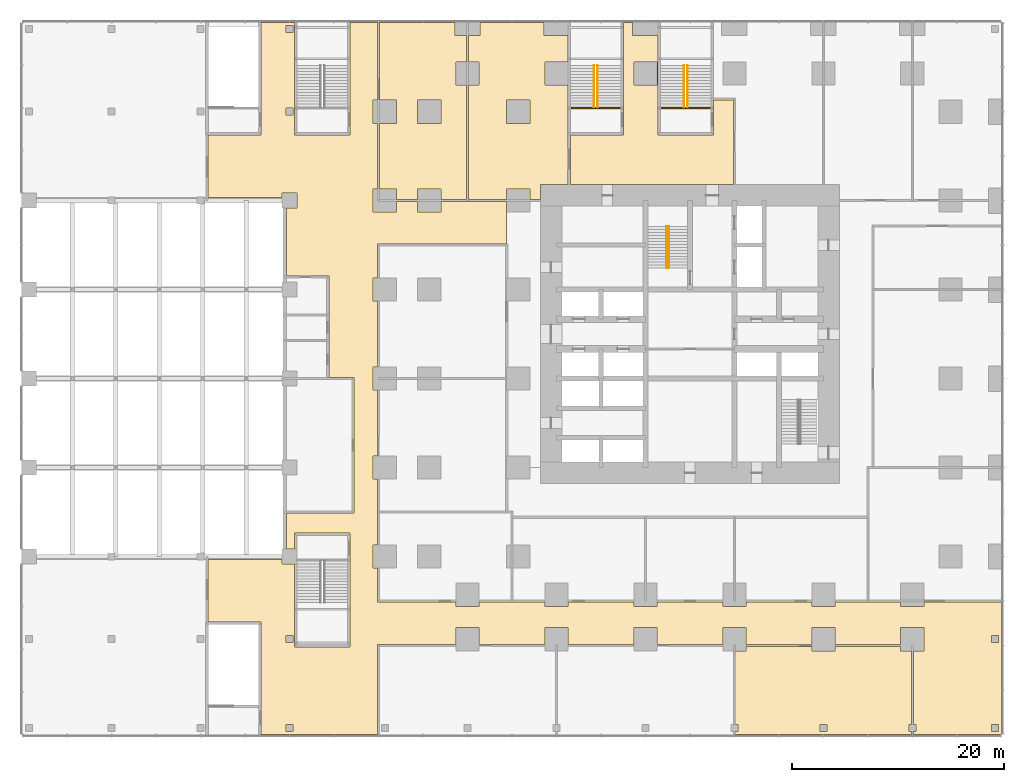
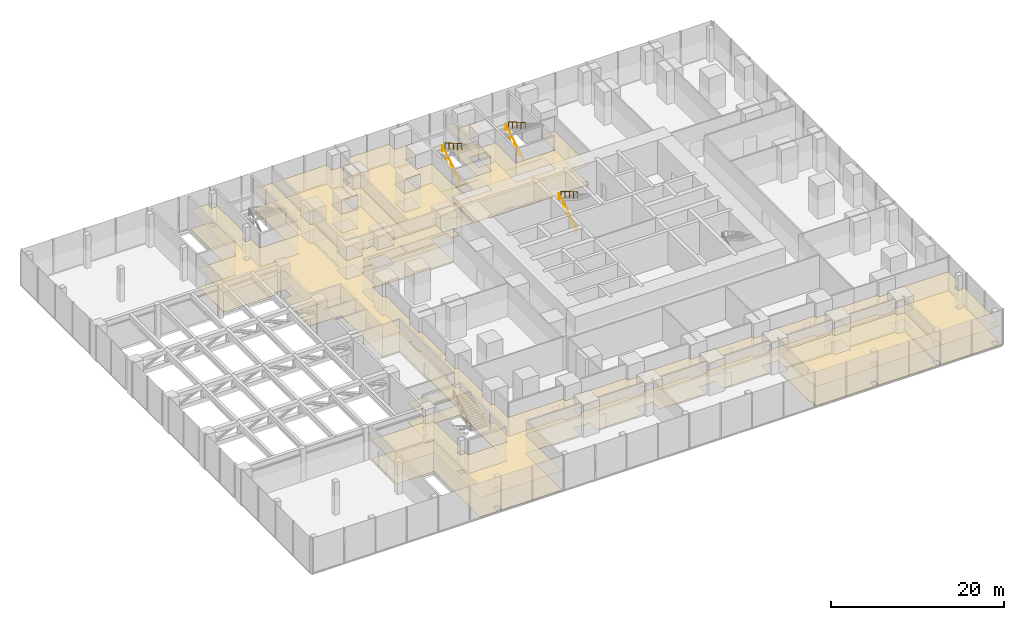
# One storey, part 32 of 33: 12 coverings, 6 railings.
"""IFC4 building model written with IfcOpenShell, lengths in metres."""

from ifc_helpers import new_model, si_unit, direction, frame, origin, origin_2d, place, context, subcontext, project, spatial, polyline, circle, outline, extrude, material, layer, layer_set, type_object, element, save


model = new_model("IFC4")

# Units and contexts
model_context = context("Model", 3, precision=1e-05, world=origin(), true_north=direction((0.0, 1.0)))
body_context = subcontext(model_context, "Body", "Model", "MODEL_VIEW")
ifc_project = project(units=[si_unit("LENGTHUNIT", "METRE"), si_unit("AREAUNIT", "SQUARE_METRE"), si_unit("VOLUMEUNIT", "CUBIC_METRE"), si_unit("PLANEANGLEUNIT", "RADIAN"), si_unit("MASSUNIT", "GRAM", prefix="KILO")], contexts=[model_context])

# Site, building, storey
site_placement = place(None, origin())
site = spatial("IfcSite", under=ifc_project, at=site_placement, CompositionType="ELEMENT")
building_placement = place(site_placement, origin())
building = spatial("IfcBuilding", under=site, at=building_placement, Name="Dunama Terrace Hotel", CompositionType="ELEMENT")
storey_placement = place(building_placement, frame((0.0, 0.0, 12.0)))
storey = spatial("IfcBuildingStorey", under=building, at=storey_placement, Name="L02", CompositionType="ELEMENT", Elevation=12.0)

# Railings
ifc_material_1 = material(Name="Stainless steel handrail", Category="steel")
railing_type = type_object("IfcRailingType", Name="Stair handrail 900", PredefinedType="HANDRAIL", material=ifc_material_1)
railing_1_placement = place(storey_placement, frame((27.175048828125, 35.625, 0.166748046875)))
element("IfcRailing", 1, at=railing_1_placement, inside=storey, type_object=railing_type, Name="Handrail ST1 L02", PredefinedType="HANDRAIL", context=body_context, shape_type="SweptSolid", body=[
    extrude(circle(Radius=0.02392578125, at=origin_2d()), frame((0.0, 0.0, 0.8759765625), z_axis=(0.0, 0.859296244711, 0.511478214419), x_axis=(-1.0, 0.0, 0.0)), (0.0, 0.0, 1.0), 4.561767578125),
    extrude(circle(Radius=0.02099609375, at=origin_2d()), origin(), (0.0, 0.0, 1.0), 0.851806640625),
    extrude(circle(Radius=0.02099609375, at=origin_2d()), frame((0.0, 0.97998046875, 0.583251953125)), (0.0, 0.0, 1.0), 0.851806640625),
    extrude(circle(Radius=0.02099609375, at=origin_2d()), frame((0.0, 1.9599609375, 1.16650390625)), (0.0, 0.0, 1.0), 0.851806640625),
    extrude(circle(Radius=0.02099609375, at=origin_2d()), frame((0.0, 2.93994140625, 1.75)), (0.0, 0.0, 1.0), 0.851806640625),
    extrude(circle(Radius=0.02099609375, at=origin_2d()), frame((0.0, 3.919921875, 2.333251953125)), (0.0, 0.0, 1.0), 0.851806640625),
])
railing_2_placement = place(storey_placement, frame((27.425048828125, 39.544921875, 2.666748046875)))
element("IfcRailing", 2, at=railing_2_placement, inside=storey, type_object=railing_type, Name="Handrail ST1 L02", PredefinedType="HANDRAIL", context=body_context, shape_type="SweptSolid", body=[
    extrude(circle(Radius=0.02392578125, at=origin_2d()), frame((0.0, 0.0, 0.8759765625), z_axis=(0.0, -0.859296244711, 0.511478214419), x_axis=(1.0, 0.0, 0.0)), (0.0, 0.0, 1.0), 4.561767578125),
    extrude(circle(Radius=0.02099609375, at=origin_2d()), origin(), (0.0, 0.0, 1.0), 0.851806640625),
    extrude(circle(Radius=0.02099609375, at=origin_2d()), frame((0.0, -0.97998046875, 0.583251953125)), (0.0, 0.0, 1.0), 0.851806640625),
    extrude(circle(Radius=0.02099609375, at=origin_2d()), frame((0.0, -1.9599609375, 1.16650390625)), (0.0, 0.0, 1.0), 0.851806640625),
    extrude(circle(Radius=0.02099609375, at=origin_2d()), frame((0.0, -2.93994140625, 1.75)), (0.0, 0.0, 1.0), 0.851806640625),
    extrude(circle(Radius=0.02099609375, at=origin_2d()), frame((0.0, -3.919921875, 2.333251953125)), (0.0, 0.0, 1.0), 0.851806640625),
])
railing_3_placement = place(storey_placement, frame((20.324951171875, 50.824951171875, 0.166748046875)))
element("IfcRailing", 3, at=railing_3_placement, inside=storey, type_object=railing_type, Name="Handrail P5 L02", PredefinedType="HANDRAIL", context=body_context, shape_type="SweptSolid", body=[
    extrude(circle(Radius=0.02392578125, at=origin_2d()), frame((0.0, 0.0, 0.8759765625), z_axis=(0.0, 0.859310244771, 0.511454693235), x_axis=(-1.0, 0.0, 0.0)), (0.0, 0.0, 1.0), 4.56201171875),
    extrude(circle(Radius=0.02099609375, at=origin_2d()), origin(), (0.0, 0.0, 1.0), 0.851806640625),
    extrude(circle(Radius=0.02099609375, at=origin_2d()), frame((0.0, 0.97998046875, 0.583251953125)), (0.0, 0.0, 1.0), 0.851806640625),
    extrude(circle(Radius=0.02099609375, at=origin_2d()), frame((0.0, 1.9599609375, 1.16650390625)), (0.0, 0.0, 1.0), 0.851806640625),
    extrude(circle(Radius=0.02099609375, at=origin_2d()), frame((0.0, 2.940185546875, 1.75)), (0.0, 0.0, 1.0), 0.851806640625),
    extrude(circle(Radius=0.02099609375, at=origin_2d()), frame((0.0, 3.920166015625, 2.333251953125)), (0.0, 0.0, 1.0), 0.851806640625),
])
railing_4_placement = place(storey_placement, frame((20.675048828125, 54.7451171875, 2.666748046875)))
element("IfcRailing", 4, at=railing_4_placement, inside=storey, type_object=railing_type, Name="Handrail P5 L02", PredefinedType="HANDRAIL", context=body_context, shape_type="SweptSolid", body=[
    extrude(circle(Radius=0.02392578125, at=origin_2d()), frame((0.0, 0.0, 0.8759765625), z_axis=(0.0, -0.859310244771, 0.511454693235), x_axis=(1.0, 0.0, 0.0)), (0.0, 0.0, 1.0), 4.56201171875),
    extrude(circle(Radius=0.02099609375, at=origin_2d()), origin(), (0.0, 0.0, 1.0), 0.851806640625),
    extrude(circle(Radius=0.02099609375, at=origin_2d()), frame((0.0, -0.97998046875, 0.583251953125)), (0.0, 0.0, 1.0), 0.851806640625),
    extrude(circle(Radius=0.02099609375, at=origin_2d()), frame((0.0, -1.9599609375, 1.16650390625)), (0.0, 0.0, 1.0), 0.851806640625),
    extrude(circle(Radius=0.02099609375, at=origin_2d()), frame((0.0, -2.940185546875, 1.75)), (0.0, 0.0, 1.0), 0.851806640625),
    extrude(circle(Radius=0.02099609375, at=origin_2d()), frame((0.0, -3.920166015625, 2.333251953125)), (0.0, 0.0, 1.0), 0.851806640625),
])
railing_5_placement = place(storey_placement, frame((28.824951171875, 50.824951171875, 0.166748046875)))
element("IfcRailing", 5, at=railing_5_placement, inside=storey, type_object=railing_type, Name="Handrail P6 L02", PredefinedType="HANDRAIL", context=body_context, shape_type="SweptSolid", body=[
    extrude(circle(Radius=0.02392578125, at=origin_2d()), frame((0.0, 0.0, 0.8759765625), z_axis=(0.0, 0.859310244771, 0.511454693235), x_axis=(-1.0, 0.0, 0.0)), (0.0, 0.0, 1.0), 4.56201171875),
    extrude(circle(Radius=0.02099609375, at=origin_2d()), origin(), (0.0, 0.0, 1.0), 0.851806640625),
    extrude(circle(Radius=0.02099609375, at=origin_2d()), frame((0.0, 0.97998046875, 0.583251953125)), (0.0, 0.0, 1.0), 0.851806640625),
    extrude(circle(Radius=0.02099609375, at=origin_2d()), frame((0.0, 1.9599609375, 1.16650390625)), (0.0, 0.0, 1.0), 0.851806640625),
    extrude(circle(Radius=0.02099609375, at=origin_2d()), frame((0.0, 2.940185546875, 1.75)), (0.0, 0.0, 1.0), 0.851806640625),
    extrude(circle(Radius=0.02099609375, at=origin_2d()), frame((0.0, 3.920166015625, 2.333251953125)), (0.0, 0.0, 1.0), 0.851806640625),
])
railing_6_placement = place(storey_placement, frame((29.175048828125, 54.7451171875, 2.666748046875)))
element("IfcRailing", 6, at=railing_6_placement, inside=storey, type_object=railing_type, Name="Handrail P6 L02", PredefinedType="HANDRAIL", context=body_context, shape_type="SweptSolid", body=[
    extrude(circle(Radius=0.02392578125, at=origin_2d()), frame((0.0, 0.0, 0.8759765625), z_axis=(0.0, -0.859310244771, 0.511454693235), x_axis=(1.0, 0.0, 0.0)), (0.0, 0.0, 1.0), 4.56201171875),
    extrude(circle(Radius=0.02099609375, at=origin_2d()), origin(), (0.0, 0.0, 1.0), 0.851806640625),
    extrude(circle(Radius=0.02099609375, at=origin_2d()), frame((0.0, -0.97998046875, 0.583251953125)), (0.0, 0.0, 1.0), 0.851806640625),
    extrude(circle(Radius=0.02099609375, at=origin_2d()), frame((0.0, -1.9599609375, 1.16650390625)), (0.0, 0.0, 1.0), 0.851806640625),
    extrude(circle(Radius=0.02099609375, at=origin_2d()), frame((0.0, -2.940185546875, 1.75)), (0.0, 0.0, 1.0), 0.851806640625),
    extrude(circle(Radius=0.02099609375, at=origin_2d()), frame((0.0, -3.920166015625, 2.333251953125)), (0.0, 0.0, 1.0), 0.851806640625),
])

# Coverings
ifc_material_2 = material(Name="Natural stone floor tiles", Category="masonry")
ifc_layer_1 = layer(ifc_material_2, 0.030029296875)
ifc_layer_set_1 = layer_set([ifc_layer_1], Name="Stone floor finish 30")
covering_type_1 = type_object("IfcCoveringType", Name="Stone floor finish 30", PredefinedType="FLOORING", material=ifc_layer_set_1)
covering_1_placement = place(storey_placement, origin())
element("IfcCovering", 7, at=covering_1_placement, inside=storey, type_object=covering_type_1, Name="Stair threshold P5 L02", PredefinedType="FLOORING", context=body_context, shape_type="SweptSolid", body=[
    extrude(outline(polyline([(22.875, 50.659912109375), (22.875, 50.824951171875), (18.125, 50.824951171875), (18.125, 50.659912109375), (22.875, 50.659912109375)])), origin(), (0.0, 0.0, 1.0), 0.030029296875),
])
covering_2_placement = place(storey_placement, origin())
element("IfcCovering", 8, at=covering_2_placement, inside=storey, type_object=covering_type_1, Name="Stair threshold P6 L02", PredefinedType="FLOORING", context=body_context, shape_type="SweptSolid", body=[
    extrude(outline(polyline([(31.375, 50.659912109375), (31.375, 50.824951171875), (26.625, 50.824951171875), (26.625, 50.659912109375), (31.375, 50.659912109375)])), origin(), (0.0, 0.0, 1.0), 0.030029296875),
])
covering_3_placement = place(storey_placement, origin())
element("IfcCovering", 9, at=covering_3_placement, inside=storey, type_object=covering_type_1, Name="Floor finish L02-24", PredefinedType="FLOORING", context=body_context, shape_type="SweptSolid", body=[
    extrude(outline(polyline([(7.199951171875, 58.800048828125), (0.10009765625, 58.800048828125), (0.10009765625, 51.5), (1.699951171875, 51.5), (1.699951171875, 49.300048828125), (0.10009765625, 49.300048828125), (0.10009765625, 43.10009765625), (1.699951171875, 43.10009765625), (1.699951171875, 42.10009765625), (3.699951171875, 42.10009765625), (3.699951171875, 43.10009765625), (5.89990234375, 43.10009765625), (5.89990234375, 42.10009765625), (8.324951171875, 42.10009765625), (8.324951171875, 52.89990234375), (7.300048828125, 52.89990234375), (7.300048828125, 55.10009765625), (8.324951171875, 55.10009765625), (8.324951171875, 57.60009765625), (7.199951171875, 57.60009765625), (7.199951171875, 58.800048828125)]), holes=[polyline([(5.89990234375, 51.5), (5.89990234375, 49.300048828125), (3.699951171875, 49.300048828125), (3.699951171875, 51.5), (5.89990234375, 51.5)])]), origin(), (0.0, 0.0, 1.0), 0.030029296875),
])
covering_4_placement = place(storey_placement, origin())
element("IfcCovering", 10, at=covering_4_placement, inside=storey, type_object=covering_type_1, Name="Floor finish L02-25", PredefinedType="FLOORING", context=body_context, shape_type="SweptSolid", body=[
    extrude(outline(polyline([(15.60009765625, 58.800048828125), (9.60009765625, 58.800048828125), (9.60009765625, 57.60009765625), (8.47509765625, 57.60009765625), (8.47509765625, 55.10009765625), (9.5, 55.10009765625), (9.5, 52.89990234375), (8.47509765625, 52.89990234375), (8.47509765625, 42.10009765625), (12.10009765625, 42.10009765625), (12.10009765625, 43.10009765625), (14.300048828125, 43.10009765625), (14.300048828125, 42.10009765625), (15.300048828125, 42.10009765625), (15.300048828125, 42.5), (15.300048828125, 43.5), (17.300048828125, 43.5), (17.89990234375, 43.5), (17.89990234375, 48.175048828125), (17.875, 48.175048828125), (17.875, 48.425048828125), (17.875, 52.89990234375), (15.699951171875, 52.89990234375), (15.699951171875, 55.10009765625), (17.875, 55.10009765625), (17.875, 57.60009765625), (15.60009765625, 57.60009765625), (15.60009765625, 58.800048828125)]), holes=[polyline([(14.300048828125, 51.5), (14.300048828125, 49.300048828125), (12.10009765625, 49.300048828125), (12.10009765625, 51.5), (14.300048828125, 51.5)])]), origin(), (0.0, 0.0, 1.0), 0.030029296875),
])
covering_5_placement = place(storey_placement, origin())
element("IfcCovering", 11, at=covering_5_placement, inside=storey, type_object=covering_type_1, Name="Floor finish L02-32", PredefinedType="FLOORING", context=body_context, shape_type="SweptSolid", body=[
    extrude(outline(polyline([(33.675048828125, -8.39990234375), (50.300048828125, -8.39990234375), (50.300048828125, -8.125), (50.074951171875, -8.125), (50.074951171875, -7.47509765625), (50.300048828125, -7.47509765625), (50.300048828125, -0.5), (49.300048828125, -0.5), (49.300048828125, -0.10009765625), (43.10009765625, -0.10009765625), (43.10009765625, -0.5), (40.89990234375, -0.5), (40.89990234375, -0.10009765625), (34.699951171875, -0.10009765625), (34.699951171875, -0.5), (33.675048828125, -0.5), (33.675048828125, -7.47509765625), (33.925048828125, -7.47509765625), (33.925048828125, -8.125), (33.675048828125, -8.125), (33.675048828125, -8.39990234375)]), holes=[polyline([(42.324951171875, -7.47509765625), (42.324951171875, -8.125), (41.675048828125, -8.125), (41.675048828125, -7.47509765625), (42.324951171875, -7.47509765625)])]), origin(), (0.0, 0.0, 1.0), 0.030029296875),
])
covering_6_placement = place(storey_placement, origin())
element("IfcCovering", 12, at=covering_6_placement, inside=storey, type_object=covering_type_1, Name="Floor finish L02-46", PredefinedType="FLOORING", context=body_context, shape_type="SweptSolid", body=[
    extrude(outline(polyline([(-7.925048828125, 58.800048828125), (-11.074951171875, 58.800048828125), (-11.074951171875, 48.425048828125), (-11.074951171875, 48.300048828125), (-11.074951171875, 48.175048828125), (-11.324951171875, 48.175048828125), (-16.074951171875, 48.175048828125), (-16.10009765625, 48.175048828125), (-16.10009765625, 42.300048828125), (-9.10009765625, 42.300048828125), (-9.10009765625, 42.699951171875), (-7.699951171875, 42.699951171875), (-7.699951171875, 41.300048828125), (-8.699951171875, 41.300048828125), (-8.699951171875, 34.89990234375), (-4.89990234375, 34.89990234375), (-4.800048828125, 34.89990234375), (-4.699951171875, 34.89990234375), (-4.699951171875, 34.699951171875), (-4.699951171875, 25.300048828125), (-2.5, 25.300048828125), (-2.39990234375, 25.300048828125), (-2.300048828125, 25.300048828125), (-2.300048828125, 25.10009765625), (-2.300048828125, 12.699951171875), (-2.300048828125, 12.60009765625), (-2.300048828125, 12.5), (-2.5, 12.5), (-8.699951171875, 12.5), (-8.699951171875, 9.10009765625), (-7.925048828125, 9.10009765625), (-7.925048828125, 10.375), (-7.925048828125, 10.5), (-7.925048828125, 10.625), (-7.675048828125, 10.625), (-2.925048828125, 10.625), (-2.800048828125, 10.625), (-2.675048828125, 10.625), (-2.675048828125, 10.375), (-2.675048828125, 0.125), (-2.675048828125, 0.0), (-2.675048828125, -0.125), (-2.925048828125, -0.125), (-7.675048828125, -0.125), (-7.800048828125, -0.125), (-7.925048828125, -0.125), (-7.925048828125, 0.125), (-7.925048828125, 7.699951171875), (-9.10009765625, 7.699951171875), (-9.10009765625, 8.10009765625), (-16.10009765625, 8.10009765625), (-16.10009765625, 2.22509765625), (-16.074951171875, 2.22509765625), (-11.324951171875, 2.22509765625), (-11.199951171875, 2.22509765625), (-11.074951171875, 2.22509765625), (-11.074951171875, 1.97509765625), (-11.074951171875, -8.39990234375), (-0.10009765625, -8.39990234375), (-0.10009765625, -0.10009765625), (-0.10009765625, 0.0), (-0.10009765625, 0.10009765625), (0.10009765625, 0.10009765625), (7.300048828125, 0.10009765625), (7.300048828125, 1.699951171875), (9.5, 1.699951171875), (9.5, 0.10009765625), (15.699951171875, 0.10009765625), (15.699951171875, 1.699951171875), (17.89990234375, 1.699951171875), (17.89990234375, 0.10009765625), (24.10009765625, 0.10009765625), (24.10009765625, 1.699951171875), (26.300048828125, 1.699951171875), (26.300048828125, 0.10009765625), (32.5, 0.10009765625), (32.5, 1.699951171875), (34.699951171875, 1.699951171875), (34.699951171875, 0.10009765625), (40.89990234375, 0.10009765625), (40.89990234375, 1.699951171875), (43.10009765625, 1.699951171875), (43.10009765625, 0.10009765625), (49.300048828125, 0.10009765625), (49.300048828125, 1.699951171875), (51.5, 1.699951171875), (51.5, -0.5), (50.5, -0.5), (50.5, -7.47509765625), (50.72509765625, -7.47509765625), (50.72509765625, -8.125), (50.5, -8.125), (50.5, -8.39990234375), (58.800048828125, -8.39990234375), (58.800048828125, 4.10009765625), (51.5, 4.10009765625), (51.5, 3.699951171875), (49.300048828125, 3.699951171875), (49.300048828125, 4.10009765625), (46.300048828125, 4.10009765625), (46.199951171875, 4.10009765625), (46.10009765625, 4.10009765625), (43.10009765625, 4.10009765625), (43.10009765625, 3.699951171875), (40.89990234375, 3.699951171875), (40.89990234375, 4.10009765625), (34.699951171875, 4.10009765625), (34.699951171875, 3.699951171875), (32.5, 3.699951171875), (32.5, 4.10009765625), (26.300048828125, 4.10009765625), (26.300048828125, 3.699951171875), (24.10009765625, 3.699951171875), (24.10009765625, 4.10009765625), (17.89990234375, 4.10009765625), (17.89990234375, 3.699951171875), (15.699951171875, 3.699951171875), (15.699951171875, 4.10009765625), (9.5, 4.10009765625), (9.5, 3.699951171875), (7.300048828125, 3.699951171875), (7.300048828125, 4.10009765625), (0.10009765625, 4.10009765625), (0.0, 4.10009765625), (-0.10009765625, 4.10009765625), (-0.10009765625, 4.300048828125), (-0.10009765625, 7.300048828125), (-0.5, 7.300048828125), (-0.5, 9.5), (-0.10009765625, 9.5), (-0.10009765625, 15.699951171875), (-0.5, 15.699951171875), (-0.5, 17.89990234375), (-0.10009765625, 17.89990234375), (-0.10009765625, 24.10009765625), (-0.5, 24.10009765625), (-0.5, 26.300048828125), (-0.10009765625, 26.300048828125), (-0.10009765625, 32.5), (-0.5, 32.5), (-0.5, 34.699951171875), (-0.10009765625, 34.699951171875), (-0.10009765625, 37.699951171875), (-0.10009765625, 37.800048828125), (-0.10009765625, 37.89990234375), (0.10009765625, 37.89990234375), (12.0, 37.89990234375), (12.10009765625, 37.89990234375), (12.10009765625, 40.89990234375), (12.10009765625, 41.89990234375), (5.89990234375, 41.89990234375), (5.89990234375, 40.89990234375), (3.699951171875, 40.89990234375), (3.699951171875, 41.89990234375), (1.699951171875, 41.89990234375), (1.699951171875, 40.89990234375), (-0.5, 40.89990234375), (-0.5, 43.10009765625), (-0.10009765625, 43.10009765625), (-0.10009765625, 49.300048828125), (-0.5, 49.300048828125), (-0.5, 51.5), (-0.10009765625, 51.5), (-0.10009765625, 58.800048828125), (-2.675048828125, 58.800048828125), (-2.675048828125, 48.425048828125), (-2.675048828125, 48.300048828125), (-2.675048828125, 48.175048828125), (-2.925048828125, 48.175048828125), (-7.675048828125, 48.175048828125), (-7.800048828125, 48.175048828125), (-7.925048828125, 48.175048828125), (-7.925048828125, 48.425048828125), (-7.925048828125, 58.800048828125)]), holes=[polyline([(-8.72509765625, -7.47509765625), (-8.074951171875, -7.47509765625), (-8.074951171875, -8.125), (-8.72509765625, -8.125), (-8.72509765625, -7.47509765625)]), polyline([(-8.72509765625, 0.925048828125), (-8.074951171875, 0.925048828125), (-8.074951171875, 0.27490234375), (-8.72509765625, 0.27490234375), (-8.72509765625, 0.925048828125)]), polyline([(-8.074951171875, 50.72509765625), (-8.074951171875, 50.074951171875), (-8.72509765625, 50.074951171875), (-8.72509765625, 50.72509765625), (-8.074951171875, 50.72509765625)]), polyline([(-8.074951171875, 58.52490234375), (-8.074951171875, 57.875), (-8.72509765625, 57.875), (-8.72509765625, 58.52490234375), (-8.074951171875, 58.52490234375)]), polyline([(57.875, -7.47509765625), (58.52490234375, -7.47509765625), (58.52490234375, -8.125), (57.875, -8.125), (57.875, -7.47509765625)]), polyline([(58.52490234375, 0.925048828125), (58.52490234375, 0.27490234375), (57.875, 0.27490234375), (57.875, 0.925048828125), (58.52490234375, 0.925048828125)])]), origin(), (0.0, 0.0, 1.0), 0.030029296875),
])
covering_7_placement = place(storey_placement, origin())
element("IfcCovering", 13, at=covering_7_placement, inside=storey, type_object=covering_type_1, Name="Floor finish L02-48", PredefinedType="FLOORING", context=body_context, shape_type="SweptSolid", body=[
    extrude(outline(polyline([(24.0, 58.800048828125), (23.125, 58.800048828125), (23.125, 48.425048828125), (23.125, 48.300048828125), (23.125, 48.175048828125), (22.875, 48.175048828125), (18.125, 48.175048828125), (18.10009765625, 48.175048828125), (18.10009765625, 43.5), (33.5, 43.5), (33.5, 51.5), (31.625, 51.5), (31.625, 48.425048828125), (31.625, 48.300048828125), (31.625, 48.175048828125), (31.375, 48.175048828125), (26.625, 48.175048828125), (26.5, 48.175048828125), (26.375, 48.175048828125), (26.375, 48.425048828125), (26.375, 57.60009765625), (24.0, 57.60009765625), (24.0, 58.800048828125)]), holes=[polyline([(26.300048828125, 55.10009765625), (26.300048828125, 52.89990234375), (24.10009765625, 52.89990234375), (24.10009765625, 55.10009765625), (26.300048828125, 55.10009765625)])]), origin(), (0.0, 0.0, 1.0), 0.030029296875),
])
ifc_material_3 = material(Name="Gypsum plasterboard ceiling")
ifc_layer_2 = layer(ifc_material_3, 0.02001953125)
ifc_layer_set_2 = layer_set([ifc_layer_2], Name="Suspended ceiling 20")
covering_type_2 = type_object("IfcCoveringType", Name="Suspended ceiling 20", PredefinedType="CEILING", material=ifc_layer_set_2)
covering_8_placement = place(storey_placement, frame((0.0, 0.0, 2.699951171875)))
element("IfcCovering", 14, at=covering_8_placement, inside=storey, type_object=covering_type_2, Name="Ceiling L02-24", PredefinedType="CEILING", context=body_context, shape_type="SweptSolid", body=[
    extrude(outline(polyline([(7.199951171875, 57.60009765625), (7.199951171875, 58.800048828125), (0.10009765625, 58.800048828125), (0.10009765625, 51.5), (1.699951171875, 51.5), (1.699951171875, 49.300048828125), (0.10009765625, 49.300048828125), (0.10009765625, 43.10009765625), (1.699951171875, 43.10009765625), (1.699951171875, 42.10009765625), (3.699951171875, 42.10009765625), (3.699951171875, 43.10009765625), (5.89990234375, 43.10009765625), (5.89990234375, 42.10009765625), (8.324951171875, 42.10009765625), (8.324951171875, 52.89990234375), (7.300048828125, 52.89990234375), (7.300048828125, 55.10009765625), (8.324951171875, 55.10009765625), (8.324951171875, 57.60009765625), (7.199951171875, 57.60009765625)]), holes=[polyline([(3.699951171875, 51.5), (5.89990234375, 51.5), (5.89990234375, 49.300048828125), (3.699951171875, 49.300048828125), (3.699951171875, 51.5)])]), origin(), (0.0, 0.0, 1.0), 0.02001953125),
])
covering_9_placement = place(storey_placement, frame((0.0, 0.0, 2.699951171875)))
element("IfcCovering", 15, at=covering_9_placement, inside=storey, type_object=covering_type_2, Name="Ceiling L02-25", PredefinedType="CEILING", context=body_context, shape_type="SweptSolid", body=[
    extrude(outline(polyline([(15.60009765625, 57.60009765625), (15.60009765625, 58.800048828125), (9.60009765625, 58.800048828125), (9.60009765625, 57.60009765625), (8.47509765625, 57.60009765625), (8.47509765625, 55.10009765625), (9.5, 55.10009765625), (9.5, 52.89990234375), (8.47509765625, 52.89990234375), (8.47509765625, 42.10009765625), (12.10009765625, 42.10009765625), (12.10009765625, 43.10009765625), (14.300048828125, 43.10009765625), (14.300048828125, 42.10009765625), (15.300048828125, 42.10009765625), (15.300048828125, 42.5), (15.300048828125, 43.5), (17.300048828125, 43.5), (17.89990234375, 43.5), (17.89990234375, 48.175048828125), (17.875, 48.175048828125), (17.875, 48.425048828125), (17.875, 52.89990234375), (15.699951171875, 52.89990234375), (15.699951171875, 55.10009765625), (17.875, 55.10009765625), (17.875, 57.60009765625), (15.60009765625, 57.60009765625)]), holes=[polyline([(12.10009765625, 51.5), (14.300048828125, 51.5), (14.300048828125, 49.300048828125), (12.10009765625, 49.300048828125), (12.10009765625, 51.5)])]), origin(), (0.0, 0.0, 1.0), 0.02001953125),
])
covering_10_placement = place(storey_placement, frame((0.0, 0.0, 2.699951171875)))
element("IfcCovering", 16, at=covering_10_placement, inside=storey, type_object=covering_type_2, Name="Ceiling L02-32", PredefinedType="CEILING", context=body_context, shape_type="SweptSolid", body=[
    extrude(outline(polyline([(33.675048828125, -8.125), (33.675048828125, -8.39990234375), (50.300048828125, -8.39990234375), (50.300048828125, -8.125), (50.074951171875, -8.125), (50.074951171875, -7.47509765625), (50.300048828125, -7.47509765625), (50.300048828125, -0.5), (49.300048828125, -0.5), (49.300048828125, -0.10009765625), (43.10009765625, -0.10009765625), (43.10009765625, -0.5), (40.89990234375, -0.5), (40.89990234375, -0.10009765625), (34.699951171875, -0.10009765625), (34.699951171875, -0.5), (33.675048828125, -0.5), (33.675048828125, -7.47509765625), (33.925048828125, -7.47509765625), (33.925048828125, -8.125), (33.675048828125, -8.125)]), holes=[polyline([(41.675048828125, -7.47509765625), (42.324951171875, -7.47509765625), (42.324951171875, -8.125), (41.675048828125, -8.125), (41.675048828125, -7.47509765625)])]), origin(), (0.0, 0.0, 1.0), 0.02001953125),
])
covering_11_placement = place(storey_placement, frame((0.0, 0.0, 2.699951171875)))
element("IfcCovering", 17, at=covering_11_placement, inside=storey, type_object=covering_type_2, Name="Ceiling L02-46", PredefinedType="CEILING", context=body_context, shape_type="SweptSolid", body=[
    extrude(outline(polyline([(-7.925048828125, 48.425048828125), (-7.925048828125, 58.800048828125), (-9.0, 58.800048828125), (-11.074951171875, 58.800048828125), (-11.074951171875, 48.425048828125), (-11.074951171875, 48.300048828125), (-11.074951171875, 48.175048828125), (-11.324951171875, 48.175048828125), (-16.074951171875, 48.175048828125), (-16.10009765625, 48.175048828125), (-16.10009765625, 42.300048828125), (-9.10009765625, 42.300048828125), (-9.10009765625, 42.699951171875), (-7.699951171875, 42.699951171875), (-7.699951171875, 41.300048828125), (-8.699951171875, 41.300048828125), (-8.699951171875, 34.89990234375), (-4.89990234375, 34.89990234375), (-4.800048828125, 34.89990234375), (-4.699951171875, 34.89990234375), (-4.699951171875, 34.699951171875), (-4.699951171875, 25.300048828125), (-2.5, 25.300048828125), (-2.39990234375, 25.300048828125), (-2.300048828125, 25.300048828125), (-2.300048828125, 25.10009765625), (-2.300048828125, 12.699951171875), (-2.300048828125, 12.60009765625), (-2.300048828125, 12.5), (-2.5, 12.5), (-8.699951171875, 12.5), (-8.699951171875, 9.10009765625), (-7.925048828125, 9.10009765625), (-7.925048828125, 10.375), (-7.925048828125, 10.5), (-7.925048828125, 10.625), (-7.675048828125, 10.625), (-2.925048828125, 10.625), (-2.800048828125, 10.625), (-2.675048828125, 10.625), (-2.675048828125, 10.375), (-2.675048828125, 0.125), (-2.675048828125, 0.0), (-2.675048828125, -0.125), (-2.925048828125, -0.125), (-7.675048828125, -0.125), (-7.800048828125, -0.125), (-7.925048828125, -0.125), (-7.925048828125, 0.125), (-7.925048828125, 7.699951171875), (-9.10009765625, 7.699951171875), (-9.10009765625, 8.10009765625), (-16.10009765625, 8.10009765625), (-16.10009765625, 2.22509765625), (-16.074951171875, 2.22509765625), (-11.324951171875, 2.22509765625), (-11.199951171875, 2.22509765625), (-11.074951171875, 2.22509765625), (-11.074951171875, 1.97509765625), (-11.074951171875, -8.39990234375), (-0.10009765625, -8.39990234375), (-0.10009765625, -0.10009765625), (-0.10009765625, 0.0), (-0.10009765625, 0.10009765625), (0.10009765625, 0.10009765625), (7.300048828125, 0.10009765625), (7.300048828125, 1.699951171875), (9.5, 1.699951171875), (9.5, 0.10009765625), (15.699951171875, 0.10009765625), (15.699951171875, 1.699951171875), (17.89990234375, 1.699951171875), (17.89990234375, 0.10009765625), (24.10009765625, 0.10009765625), (24.10009765625, 1.699951171875), (26.300048828125, 1.699951171875), (26.300048828125, 0.10009765625), (32.5, 0.10009765625), (32.5, 1.699951171875), (34.699951171875, 1.699951171875), (34.699951171875, 0.10009765625), (40.89990234375, 0.10009765625), (40.89990234375, 1.699951171875), (43.10009765625, 1.699951171875), (43.10009765625, 0.10009765625), (49.300048828125, 0.10009765625), (49.300048828125, 1.699951171875), (51.5, 1.699951171875), (51.5, -0.5), (50.5, -0.5), (50.5, -7.47509765625), (50.72509765625, -7.47509765625), (50.72509765625, -8.125), (50.5, -8.125), (50.5, -8.39990234375), (58.800048828125, -8.39990234375), (58.800048828125, 0.0), (58.800048828125, 4.10009765625), (51.5, 4.10009765625), (51.5, 3.699951171875), (49.300048828125, 3.699951171875), (49.300048828125, 4.10009765625), (46.300048828125, 4.10009765625), (46.199951171875, 4.10009765625), (46.10009765625, 4.10009765625), (43.10009765625, 4.10009765625), (43.10009765625, 3.699951171875), (40.89990234375, 3.699951171875), (40.89990234375, 4.10009765625), (34.699951171875, 4.10009765625), (34.699951171875, 3.699951171875), (32.5, 3.699951171875), (32.5, 4.10009765625), (26.300048828125, 4.10009765625), (26.300048828125, 3.699951171875), (24.10009765625, 3.699951171875), (24.10009765625, 4.10009765625), (17.89990234375, 4.10009765625), (17.89990234375, 3.699951171875), (15.699951171875, 3.699951171875), (15.699951171875, 4.10009765625), (9.5, 4.10009765625), (9.5, 3.699951171875), (7.300048828125, 3.699951171875), (7.300048828125, 4.10009765625), (0.10009765625, 4.10009765625), (0.0, 4.10009765625), (-0.10009765625, 4.10009765625), (-0.10009765625, 4.300048828125), (-0.10009765625, 7.300048828125), (-0.5, 7.300048828125), (-0.5, 9.5), (-0.10009765625, 9.5), (-0.10009765625, 15.699951171875), (-0.5, 15.699951171875), (-0.5, 17.89990234375), (-0.10009765625, 17.89990234375), (-0.10009765625, 24.10009765625), (-0.5, 24.10009765625), (-0.5, 26.300048828125), (-0.10009765625, 26.300048828125), (-0.10009765625, 32.5), (-0.5, 32.5), (-0.5, 34.699951171875), (-0.10009765625, 34.699951171875), (-0.10009765625, 37.699951171875), (-0.10009765625, 37.800048828125), (-0.10009765625, 37.89990234375), (0.10009765625, 37.89990234375), (12.0, 37.89990234375), (12.10009765625, 37.89990234375), (12.10009765625, 40.89990234375), (12.10009765625, 41.89990234375), (5.89990234375, 41.89990234375), (5.89990234375, 40.89990234375), (3.699951171875, 40.89990234375), (3.699951171875, 41.89990234375), (1.699951171875, 41.89990234375), (1.699951171875, 40.89990234375), (-0.5, 40.89990234375), (-0.5, 43.10009765625), (-0.10009765625, 43.10009765625), (-0.10009765625, 49.300048828125), (-0.5, 49.300048828125), (-0.5, 51.5), (-0.10009765625, 51.5), (-0.10009765625, 58.800048828125), (-2.675048828125, 58.800048828125), (-2.675048828125, 48.425048828125), (-2.675048828125, 48.300048828125), (-2.675048828125, 48.175048828125), (-2.925048828125, 48.175048828125), (-7.675048828125, 48.175048828125), (-7.800048828125, 48.175048828125), (-7.925048828125, 48.175048828125), (-7.925048828125, 48.425048828125)]), holes=[polyline([(-8.72509765625, -8.125), (-8.72509765625, -7.47509765625), (-8.074951171875, -7.47509765625), (-8.074951171875, -8.125), (-8.72509765625, -8.125)]), polyline([(-8.72509765625, 0.27490234375), (-8.72509765625, 0.925048828125), (-8.074951171875, 0.925048828125), (-8.074951171875, 0.27490234375), (-8.72509765625, 0.27490234375)]), polyline([(-8.72509765625, 50.72509765625), (-8.074951171875, 50.72509765625), (-8.074951171875, 50.074951171875), (-8.72509765625, 50.074951171875), (-8.72509765625, 50.72509765625)]), polyline([(-8.72509765625, 58.52490234375), (-8.074951171875, 58.52490234375), (-8.074951171875, 57.875), (-8.72509765625, 57.875), (-8.72509765625, 58.52490234375)]), polyline([(57.875, -8.125), (57.875, -7.47509765625), (58.52490234375, -7.47509765625), (58.52490234375, -8.125), (57.875, -8.125)]), polyline([(57.875, 0.925048828125), (58.52490234375, 0.925048828125), (58.52490234375, 0.27490234375), (57.875, 0.27490234375), (57.875, 0.925048828125)])]), origin(), (0.0, 0.0, 1.0), 0.02001953125),
])
covering_12_placement = place(storey_placement, frame((0.0, 0.0, 2.699951171875)))
element("IfcCovering", 18, at=covering_12_placement, inside=storey, type_object=covering_type_2, Name="Ceiling L02-48", PredefinedType="CEILING", context=body_context, shape_type="SweptSolid", body=[
    extrude(outline(polyline([(24.0, 57.60009765625), (24.0, 58.800048828125), (23.125, 58.800048828125), (23.125, 48.425048828125), (23.125, 48.300048828125), (23.125, 48.175048828125), (22.875, 48.175048828125), (18.125, 48.175048828125), (18.10009765625, 48.175048828125), (18.10009765625, 43.5), (33.5, 43.5), (33.5, 51.5), (31.625, 51.5), (31.625, 48.425048828125), (31.625, 48.300048828125), (31.625, 48.175048828125), (31.375, 48.175048828125), (26.625, 48.175048828125), (26.5, 48.175048828125), (26.375, 48.175048828125), (26.375, 48.425048828125), (26.375, 57.60009765625), (24.0, 57.60009765625)]), holes=[polyline([(24.10009765625, 55.10009765625), (26.300048828125, 55.10009765625), (26.300048828125, 52.89990234375), (24.10009765625, 52.89990234375), (24.10009765625, 55.10009765625)])]), origin(), (0.0, 0.0, 1.0), 0.02001953125),
])

save(model, "model.ifc")
